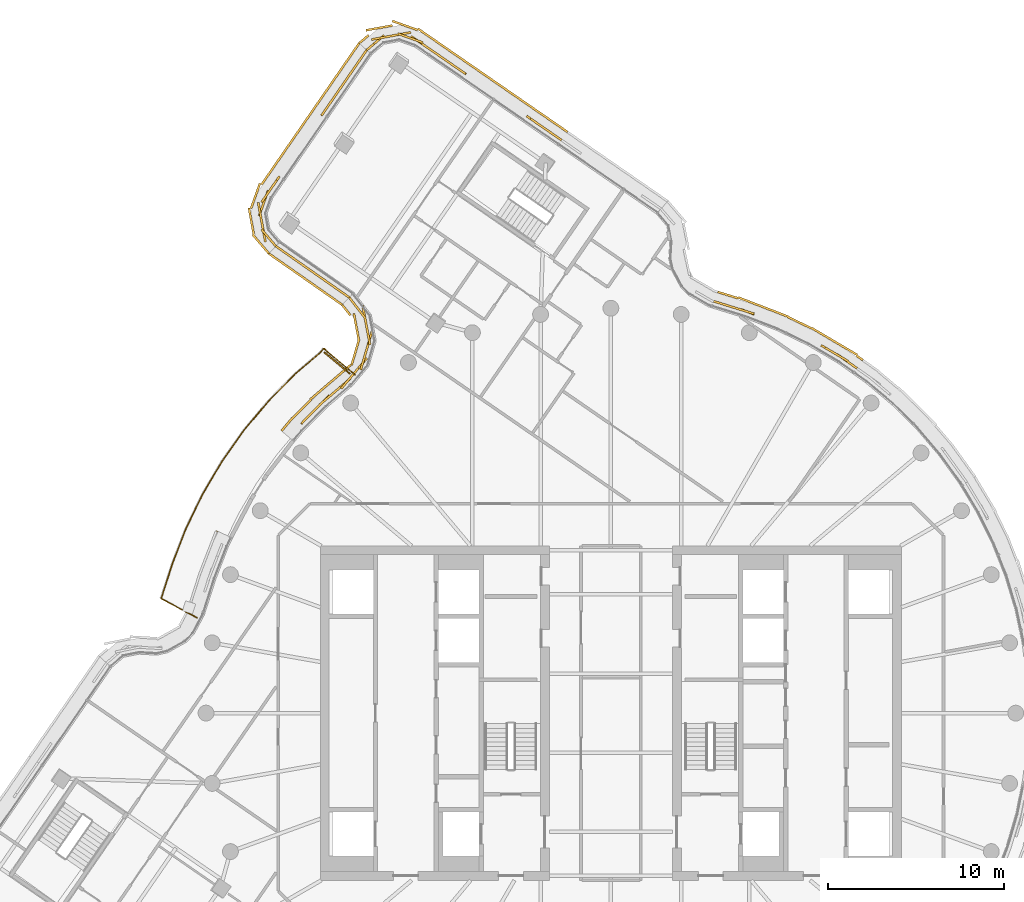
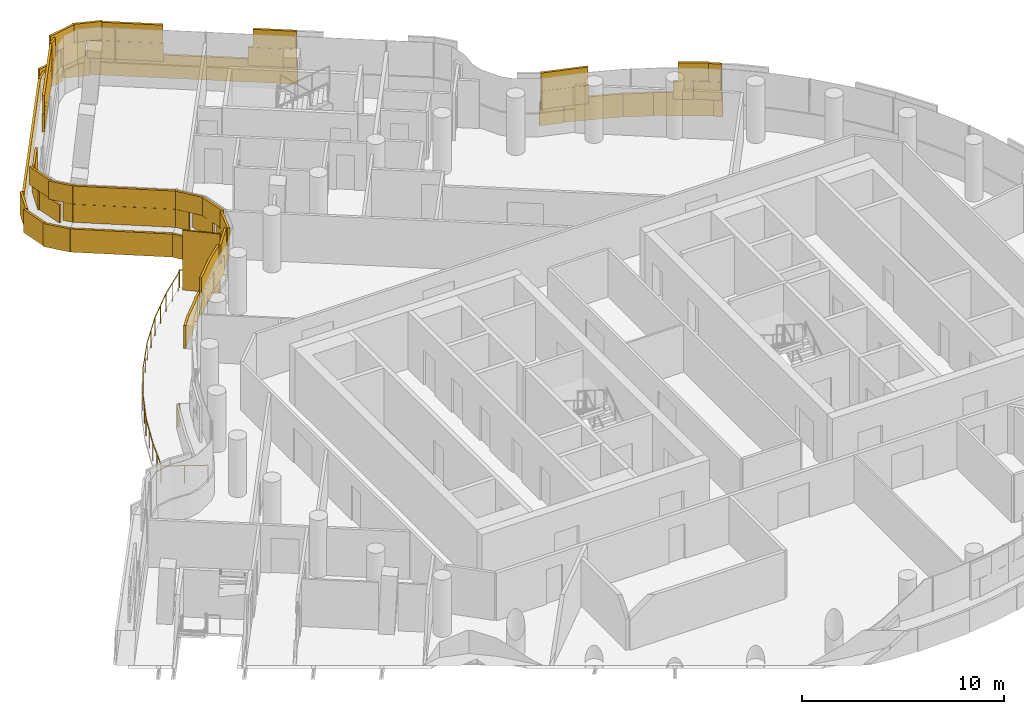
# One storey, part 24 of 26: 5 coverings, 1 railing, 1 shading device.
"""IFC4 building model written with IfcOpenShell, lengths in metres."""

from ifc_helpers import new_model, si_unit, direction, frame, origin, origin_2d, place, context, subcontext, project, spatial, rectangle, circle, extrude, material, layer, layer_set, type_object, element, save


model = new_model("IFC4")

# Units and contexts
model_context = context("Model", 3, precision=1e-05, world=origin(), true_north=direction((0.0, 1.0)))
body_context = subcontext(model_context, "Body", "Model", "MODEL_VIEW")
ifc_project = project(units=[si_unit("LENGTHUNIT", "METRE"), si_unit("AREAUNIT", "SQUARE_METRE"), si_unit("VOLUMEUNIT", "CUBIC_METRE"), si_unit("PLANEANGLEUNIT", "RADIAN"), si_unit("MASSUNIT", "GRAM", prefix="KILO")], contexts=[model_context])

# Site, building, storey
site_placement = place(None, origin())
site = spatial("IfcSite", under=ifc_project, at=site_placement, CompositionType="ELEMENT")
building_placement = place(site_placement, origin())
building = spatial("IfcBuilding", under=site, at=building_placement, Name="Tamarind Cross Interchange Tower", CompositionType="ELEMENT")
storey_placement = place(building_placement, frame((0.0, 0.0, 234.300048828125)))
storey = spatial("IfcBuildingStorey", under=building, at=storey_placement, Name="L59", CompositionType="ELEMENT", Elevation=234.300048828125)

# Railing
ifc_material_1 = material(Name="Stainless steel and laminated glass", Category="steel")
railing_type = type_object("IfcRailingType", Name="Balcony guard", PredefinedType="BALUSTRADE", material=ifc_material_1)
railing_placement = place(storey_placement, frame((-14.540283203125, 19.22265625, 0.0)))
element("IfcRailing", 1, at=railing_placement, inside=storey, type_object=railing_type, Name="Balcony guard 06", PredefinedType="BALUSTRADE", context=body_context, shape_type="SweptSolid", body=[
    extrude(circle(Radius=0.02490234375, at=origin_2d()), frame((0.0, 0.0, 1.0751953125), z_axis=(-0.764064500241, 0.645139860396, 0.0), x_axis=(-0.645139860396, -0.764064500241, 0.0)), (0.0, 0.0, 1.0), 2.31982421875),
    extrude(circle(Radius=0.02490234375, at=origin_2d()), frame((-1.7724609375, 1.49658203125, 1.0751953125), z_axis=(-0.645544832924, -0.763722376709, 0.0), x_axis=(0.763722376709, -0.645544832924, 0.0)), (0.0, 0.0, 1.0), 0.33056640625),
    extrude(circle(Radius=0.02490234375, at=origin_2d()), frame((-1.98583984375, 1.244140625, 1.0751953125), z_axis=(-0.760147021141, -0.649751111004, 0.0), x_axis=(0.649751111004, -0.760147021141, 0.0)), (0.0, 0.0, 1.0), 1.81787109375),
    extrude(circle(Radius=0.02490234375, at=origin_2d()), frame((-3.36767578125, 0.06298828125, 1.0751953125), z_axis=(-0.704069374485, -0.710131196268, 0.0), x_axis=(0.710131196268, -0.704069374485, 0.0)), (0.0, 0.0, 1.0), 2.1748046875),
    extrude(circle(Radius=0.02490234375, at=origin_2d()), frame((-4.89892578125, -1.4814453125, 1.0751953125), z_axis=(-0.642984125922, -0.765879503455, 0.0), x_axis=(0.765879503455, -0.642984125922, 0.0)), (0.0, 0.0, 1.0), 2.17529296875),
    extrude(circle(Radius=0.02490234375, at=origin_2d()), frame((-6.297607421875, -3.1474609375, 1.0751953125), z_axis=(-0.577590617379, -0.81632657602, 0.0), x_axis=(0.81632657602, -0.577590617379, 0.0)), (0.0, 0.0, 1.0), 2.175048828125),
    extrude(circle(Radius=0.02490234375, at=origin_2d()), frame((-7.553955078125, -4.923095703125, 1.0751953125), z_axis=(-0.508226290333, -0.861223570169, 0.0), x_axis=(0.861223570169, -0.508226290333, 0.0)), (0.0, 0.0, 1.0), 2.175048828125),
    extrude(circle(Radius=0.02490234375, at=origin_2d()), frame((-8.659423828125, -6.79638671875, 1.0751953125), z_axis=(-0.435276325285, -0.90029690694, 0.0), x_axis=(0.90029690694, -0.435276325285, 0.0)), (0.0, 0.0, 1.0), 2.175048828125),
    extrude(circle(Radius=0.02490234375, at=origin_2d()), frame((-9.606201171875, -8.754638671875, 1.0751953125), z_axis=(-0.359528124667, -0.933134249491, 0.0), x_axis=(0.933134249491, -0.359528124667, 0.0)), (0.0, 0.0, 1.0), 2.145263671875),
    extrude(circle(Radius=0.02490234375, at=origin_2d()), frame((-10.37744140625, -10.75634765625, 1.0751953125), z_axis=(-0.305997159624, -0.952032425027, 0.0), x_axis=(0.952032425027, -0.305997159624, 0.0)), (0.0, 0.0, 1.0), 1.972412109375),
    extrude(circle(Radius=0.02490234375, at=origin_2d()), frame((-10.98095703125, -12.634033203125, 1.0751953125), z_axis=(-0.469226254422, -0.883077981925, 0.0), x_axis=(0.883077981925, -0.469226254422, 0.0)), (0.0, 0.0, 1.0), 0.083740234375),
    extrude(circle(Radius=0.02490234375, at=origin_2d()), frame((-11.020263671875, -12.7080078125, 1.0751953125), z_axis=(0.881819248022, -0.471587546293, 0.0), x_axis=(0.471587546293, 0.881819248022, 0.0)), (0.0, 0.0, 1.0), 2.31982421875),
    extrude(circle(Radius=0.02001953125, at=origin_2d()), origin(), (0.0, 0.0, 1.0), 1.050048828125),
    extrude(circle(Radius=0.02001953125, at=origin_2d()), frame((-0.88623046875, 0.748291015625, 0.0)), (0.0, 0.0, 1.0), 1.050048828125),
    extrude(circle(Radius=0.02001953125, at=origin_2d()), frame((-1.7724609375, 1.49658203125, 0.0)), (0.0, 0.0, 1.0), 1.050048828125),
    extrude(circle(Radius=0.02001953125, at=origin_2d()), frame((-1.98583984375, 1.244140625, 0.0)), (0.0, 0.0, 1.0), 1.050048828125),
    extrude(circle(Radius=0.02001953125, at=origin_2d()), frame((-2.6767578125, 0.653564453125, 0.0)), (0.0, 0.0, 1.0), 1.050048828125),
    extrude(circle(Radius=0.02001953125, at=origin_2d()), frame((-3.36767578125, 0.06298828125, 0.0)), (0.0, 0.0, 1.0), 1.050048828125),
    extrude(circle(Radius=0.02001953125, at=origin_2d()), frame((-4.13330078125, -0.709228515625, 0.0)), (0.0, 0.0, 1.0), 1.050048828125),
    extrude(circle(Radius=0.02001953125, at=origin_2d()), frame((-4.89892578125, -1.4814453125, 0.0)), (0.0, 0.0, 1.0), 1.050048828125),
    extrude(circle(Radius=0.02001953125, at=origin_2d()), frame((-5.59814453125, -2.314453125, 0.0)), (0.0, 0.0, 1.0), 1.050048828125),
    extrude(circle(Radius=0.02001953125, at=origin_2d()), frame((-6.297607421875, -3.1474609375, 0.0)), (0.0, 0.0, 1.0), 1.050048828125),
    extrude(circle(Radius=0.02001953125, at=origin_2d()), frame((-6.92578125, -4.03515625, 0.0)), (0.0, 0.0, 1.0), 1.050048828125),
    extrude(circle(Radius=0.02001953125, at=origin_2d()), frame((-7.553955078125, -4.923095703125, 0.0)), (0.0, 0.0, 1.0), 1.050048828125),
    extrude(circle(Radius=0.02001953125, at=origin_2d()), frame((-8.106689453125, -5.85986328125, 0.0)), (0.0, 0.0, 1.0), 1.050048828125),
    extrude(circle(Radius=0.02001953125, at=origin_2d()), frame((-8.659423828125, -6.79638671875, 0.0)), (0.0, 0.0, 1.0), 1.050048828125),
    extrude(circle(Radius=0.02001953125, at=origin_2d()), frame((-9.1328125, -7.775390625, 0.0)), (0.0, 0.0, 1.0), 1.050048828125),
    extrude(circle(Radius=0.02001953125, at=origin_2d()), frame((-9.606201171875, -8.754638671875, 0.0)), (0.0, 0.0, 1.0), 1.050048828125),
    extrude(circle(Radius=0.02001953125, at=origin_2d()), frame((-9.99169921875, -9.75537109375, 0.0)), (0.0, 0.0, 1.0), 1.050048828125),
    extrude(circle(Radius=0.02001953125, at=origin_2d()), frame((-10.37744140625, -10.75634765625, 0.0)), (0.0, 0.0, 1.0), 1.050048828125),
    extrude(circle(Radius=0.02001953125, at=origin_2d()), frame((-10.67919921875, -11.6953125, 0.0)), (0.0, 0.0, 1.0), 1.050048828125),
    extrude(circle(Radius=0.02001953125, at=origin_2d()), frame((-10.98095703125, -12.634033203125, 0.0)), (0.0, 0.0, 1.0), 1.050048828125),
    extrude(circle(Radius=0.02001953125, at=origin_2d()), frame((-11.020263671875, -12.7080078125, 0.0)), (0.0, 0.0, 1.0), 1.050048828125),
    extrude(circle(Radius=0.02001953125, at=origin_2d()), frame((-9.99755859375, -13.2548828125, 0.0)), (0.0, 0.0, 1.0), 1.050048828125),
    extrude(circle(Radius=0.02001953125, at=origin_2d()), frame((-8.974609375, -13.802001953125, 0.0)), (0.0, 0.0, 1.0), 1.050048828125),
])

# Shading device
ifc_material_2 = material(Name="Bronze-finish aluminium louvre", Category="aluminium")
ifc_layer_1 = layer(ifc_material_2, 0.080078125)
ifc_layer_set_1 = layer_set([ifc_layer_1], Name="Bronze-finish aluminium louvre")
shading_device_type = type_object("IfcShadingDeviceType", Name="Operable louvre bay", PredefinedType="JALOUSIE", material=ifc_layer_set_1)
shading_device_placement = place(storey_placement, origin())
element("IfcShadingDevice", 2, at=shading_device_placement, inside=storey, type_object=shading_device_type, Name="LVR-L59-BAL06", PredefinedType="JALOUSIE", context=body_context, shape_type="SweptSolid", body=[
    extrude(rectangle(XDim=1.89990234375, YDim=0.080078125, at=origin_2d()), frame((-15.54736328125, 19.8896484375, 0.0), z_axis=(0.0, 0.0, 1.0), x_axis=(-0.764058405096, 0.645147079046, 0.0)), (0.0, 0.0, 1.0), 3.60009765625),
])

# Coverings
ifc_material_3 = material(Name="Terracotta", Category="masonry")
ifc_layer_2 = layer(ifc_material_3, 0.1201171875)
ifc_layer_set_2 = layer_set([ifc_layer_2], Name="Terracotta")
covering_type = type_object("IfcCoveringType", Name="Terracotta baguette screen unit", PredefinedType="MOLDING", material=ifc_layer_set_2)
covering_1_placement = place(storey_placement, origin())
element("IfcCovering", 3, at=covering_1_placement, inside=storey, type_object=covering_type, Name="SCR-L59-02-09", PredefinedType="MOLDING", context=body_context, shape_type="SweptSolid", body=[
    extrude(rectangle(XDim=1.4111328125, YDim=0.1201171875, at=origin_2d()), frame((13.4072265625, 19.993896484375, 1.40380859375), z_axis=(0.0, 0.0, 1.0), x_axis=(-0.816341886298, 0.577568978284, 0.0)), (0.0, 0.0, 1.0), 1.092041015625),
    extrude(rectangle(XDim=1.02294921875, YDim=0.1201171875, at=origin_2d()), frame((12.38525390625, 20.634521484375, 1.40380859375), z_axis=(0.0, 0.0, 1.0), x_axis=(-0.861248933065, 0.508183308752, 0.0)), (0.0, 0.0, 1.0), 1.092041015625),
    extrude(rectangle(XDim=0.796875, YDim=0.1201171875, at=origin_2d()), frame((7.776123046875, 22.793701171875, 1.40380859375), z_axis=(0.0, 0.0, 1.0), x_axis=(-0.933146843667, 0.359495435512, 0.0)), (0.0, 0.0, 1.0), 1.092041015625),
    extrude(rectangle(XDim=1.52001953125, YDim=0.1201171875, at=origin_2d()), frame((6.68505859375, 23.135986328125, 1.40380859375), z_axis=(0.0, 0.0, 1.0), x_axis=(-0.955148026789, 0.296128767466, 0.0)), (0.0, 0.0, 1.0), 1.092041015625),
    extrude(rectangle(XDim=0.13720703125, YDim=0.1201171875, at=origin_2d()), frame((5.907958984375, 23.376953125, 1.40380859375), z_axis=(0.0, 0.0, 1.0), x_axis=(-0.955148026789, 0.296128767466, 0.0)), (0.0, 0.0, 1.0), 1.092041015625),
    extrude(rectangle(XDim=0.6611328125, YDim=0.1201171875, at=origin_2d()), frame((13.71337890625, 19.77734375, 2.50390625), z_axis=(0.0, 0.0, 1.0), x_axis=(-0.816341886298, 0.577568978284, 0.0)), (0.0, 0.0, 1.0), 1.092041015625),
    extrude(rectangle(XDim=1.52001953125, YDim=0.1201171875, at=origin_2d()), frame((12.821533203125, 20.377197265625, 2.50390625), z_axis=(0.0, 0.0, 1.0), x_axis=(-0.861248933065, 0.508183308752, 0.0)), (0.0, 0.0, 1.0), 1.092041015625),
    extrude(rectangle(XDim=1.52001953125, YDim=0.1201171875, at=origin_2d()), frame((7.401611328125, 22.913818359375, 2.50390625), z_axis=(0.0, 0.0, 1.0), x_axis=(-0.955148026789, 0.296128767466, 0.0)), (0.0, 0.0, 1.0), 1.092041015625),
    extrude(rectangle(XDim=0.88720703125, YDim=0.1201171875, at=origin_2d()), frame((6.26611328125, 23.265869140625, 2.50390625), z_axis=(0.0, 0.0, 1.0), x_axis=(-0.955148026789, 0.296128767466, 0.0)), (0.0, 0.0, 1.0), 1.092041015625),
    extrude(rectangle(XDim=0.442626953125, YDim=0.1201171875, at=origin_2d()), frame((14.1318359375, 20.184326171875, 0.00390625), z_axis=(0.0, 0.0, 1.0), x_axis=(-0.816341886298, 0.577568978284, 0.0)), (0.0, 0.0, 1.0), 1.39208984375),
    extrude(rectangle(XDim=1.52001953125, YDim=0.1201171875, at=origin_2d()), frame((13.34423828125, 20.735107421875, 0.00390625), z_axis=(0.0, 0.0, 1.0), x_axis=(-0.861248933065, 0.508183308752, 0.0)), (0.0, 0.0, 1.0), 1.39208984375),
    extrude(rectangle(XDim=1.52001953125, YDim=0.1201171875, at=origin_2d()), frame((12.05224609375, 21.49755859375, 0.00390625), z_axis=(0.0, 0.0, 1.0), x_axis=(-0.861248933065, 0.508183308752, 0.0)), (0.0, 0.0, 1.0), 1.39208984375),
    extrude(rectangle(XDim=1.52001953125, YDim=0.1201171875, at=origin_2d()), frame((10.720458984375, 22.18505859375, 0.00390625), z_axis=(0.0, 0.0, 1.0), x_axis=(-0.900272776334, 0.435326231914, 0.0)), (0.0, 0.0, 1.0), 1.39208984375),
    extrude(rectangle(XDim=1.52001953125, YDim=0.1201171875, at=origin_2d()), frame((9.35400390625, 22.801025390625, 0.00390625), z_axis=(0.0, 0.0, 1.0), x_axis=(-0.933146843667, 0.359495435512, 0.0)), (0.0, 0.0, 1.0), 1.39208984375),
    extrude(rectangle(XDim=1.52001953125, YDim=0.1201171875, at=origin_2d()), frame((7.954345703125, 23.34033203125, 0.00390625), z_axis=(0.0, 0.0, 1.0), x_axis=(-0.933146843667, 0.359495435512, 0.0)), (0.0, 0.0, 1.0), 1.39208984375),
    extrude(rectangle(XDim=1.228271484375, YDim=0.1201171875, at=origin_2d()), frame((6.661865234375, 23.744140625, 0.00390625), z_axis=(0.0, 0.0, 1.0), x_axis=(-0.955148026789, 0.296128767466, 0.0)), (0.0, 0.0, 1.0), 1.39208984375),
])
covering_2_placement = place(storey_placement, origin())
element("IfcCovering", 4, at=covering_2_placement, inside=storey, type_object=covering_type, Name="SCR-L59-03-01", PredefinedType="MOLDING", context=body_context, shape_type="SweptSolid", body=[
    extrude(rectangle(XDim=1.396484375, YDim=0.1201171875, at=origin_2d()), frame((-3.3701171875, 32.943115234375, 1.40380859375), z_axis=(0.0, 0.0, 1.0), x_axis=(-0.822882571359, 0.56821146922, 0.0)), (0.0, 0.0, 1.0), 1.092041015625),
    extrude(rectangle(XDim=1.02978515625, YDim=0.1201171875, at=origin_2d()), frame((-4.360107421875, 33.626708984375, 1.40380859375), z_axis=(0.0, 0.0, 1.0), x_axis=(-0.822882571359, 0.56821146922, 0.0)), (0.0, 0.0, 1.0), 1.092041015625),
    extrude(rectangle(XDim=0.790283203125, YDim=0.1201171875, at=origin_2d()), frame((-8.556884765625, 36.524658203125, 1.40380859375), z_axis=(0.0, 0.0, 1.0), x_axis=(-0.822882571359, 0.56821146922, 0.0)), (0.0, 0.0, 1.0), 1.092041015625),
    extrude(rectangle(XDim=1.52001953125, YDim=0.1201171875, at=origin_2d()), frame((-9.494873046875, 37.17236328125, 1.40380859375), z_axis=(0.0, 0.0, 1.0), x_axis=(-0.822882571359, 0.56821146922, 0.0)), (0.0, 0.0, 1.0), 1.092041015625),
    extrude(rectangle(XDim=1.52001953125, YDim=0.1201171875, at=origin_2d()), frame((-10.729248046875, 38.024658203125, 1.40380859375), z_axis=(0.0, 0.0, 1.0), x_axis=(-0.822882571359, 0.56821146922, 0.0)), (0.0, 0.0, 1.0), 1.092041015625),
    extrude(rectangle(XDim=1.52001953125, YDim=0.1201171875, at=origin_2d()), frame((-12.11083984375, 38.536376953125, 1.40380859375), z_axis=(0.0, 0.0, 1.0), x_axis=(-0.983652029362, -0.180079663295, 0.0)), (0.0, 0.0, 1.0), 1.092041015625),
    extrude(rectangle(XDim=1.2919921875, YDim=0.1201171875, at=origin_2d()), frame((-13.383544921875, 38.084716796875, 1.40380859375), z_axis=(0.0, 0.0, 1.0), x_axis=(-0.761827814264, -0.647779577799, 0.0)), (0.0, 0.0, 1.0), 1.092041015625),
    extrude(rectangle(XDim=0.646484375, YDim=0.1201171875, at=origin_2d()), frame((-3.0615234375, 32.72998046875, 2.50390625), z_axis=(0.0, 0.0, 1.0), x_axis=(-0.822882571359, 0.56821146922, 0.0)), (0.0, 0.0, 1.0), 1.092041015625),
    extrude(rectangle(XDim=1.52001953125, YDim=0.1201171875, at=origin_2d()), frame((-3.9404296875, 33.3369140625, 2.50390625), z_axis=(0.0, 0.0, 1.0), x_axis=(-0.822882571359, 0.56821146922, 0.0)), (0.0, 0.0, 1.0), 1.092041015625),
    extrude(rectangle(XDim=1.52001953125, YDim=0.1201171875, at=origin_2d()), frame((-8.877685546875, 36.746337890625, 2.50390625), z_axis=(0.0, 0.0, 1.0), x_axis=(-0.822882571359, 0.56821146922, 0.0)), (0.0, 0.0, 1.0), 1.092041015625),
    extrude(rectangle(XDim=1.52001953125, YDim=0.1201171875, at=origin_2d()), frame((-10.112060546875, 37.5986328125, 2.50390625), z_axis=(0.0, 0.0, 1.0), x_axis=(-0.822882571359, 0.56821146922, 0.0)), (0.0, 0.0, 1.0), 1.092041015625),
    extrude(rectangle(XDim=1.52001953125, YDim=0.1201171875, at=origin_2d()), frame((-11.399169921875, 38.34765625, 2.50390625), z_axis=(0.0, 0.0, 1.0), x_axis=(-0.941907477559, 0.335872451562, 0.0)), (0.0, 0.0, 1.0), 1.092041015625),
    extrude(rectangle(XDim=1.52001953125, YDim=0.1201171875, at=origin_2d()), frame((-12.8486328125, 38.4013671875, 2.50390625), z_axis=(0.0, 0.0, 1.0), x_axis=(-0.983652029362, -0.180079663295, 0.0)), (0.0, 0.0, 1.0), 1.092041015625),
    extrude(rectangle(XDim=0.5419921875, YDim=0.1201171875, at=origin_2d()), frame((-13.66943359375, 37.841796875, 2.50390625), z_axis=(0.0, 0.0, 1.0), x_axis=(-0.761827814264, -0.647779577799, 0.0)), (0.0, 0.0, 1.0), 1.092041015625),
    extrude(rectangle(XDim=1.335205078125, YDim=0.1201171875, at=origin_2d()), frame((-3.011962890625, 33.393310546875, 0.00390625), z_axis=(0.0, 0.0, 1.0), x_axis=(-0.822882571359, 0.56821146922, 0.0)), (0.0, 0.0, 1.0), 1.39208984375),
    extrude(rectangle(XDim=1.52001953125, YDim=0.1201171875, at=origin_2d()), frame((-4.170166015625, 34.193115234375, 0.00390625), z_axis=(0.0, 0.0, 1.0), x_axis=(-0.822882571359, 0.56821146922, 0.0)), (0.0, 0.0, 1.0), 1.39208984375),
    extrude(rectangle(XDim=1.52001953125, YDim=0.1201171875, at=origin_2d()), frame((-5.404541015625, 35.045654296875, 0.00390625), z_axis=(0.0, 0.0, 1.0), x_axis=(-0.822882571359, 0.56821146922, 0.0)), (0.0, 0.0, 1.0), 1.39208984375),
    extrude(rectangle(XDim=1.52001953125, YDim=0.1201171875, at=origin_2d()), frame((-6.638916015625, 35.89794921875, 0.00390625), z_axis=(0.0, 0.0, 1.0), x_axis=(-0.822882571359, 0.56821146922, 0.0)), (0.0, 0.0, 1.0), 1.39208984375),
    extrude(rectangle(XDim=1.52001953125, YDim=0.1201171875, at=origin_2d()), frame((-7.873291015625, 36.750244140625, 0.00390625), z_axis=(0.0, 0.0, 1.0), x_axis=(-0.822882571359, 0.56821146922, 0.0)), (0.0, 0.0, 1.0), 1.39208984375),
    extrude(rectangle(XDim=1.52001953125, YDim=0.1201171875, at=origin_2d()), frame((-9.107666015625, 37.6025390625, 0.00390625), z_axis=(0.0, 0.0, 1.0), x_axis=(-0.822882571359, 0.56821146922, 0.0)), (0.0, 0.0, 1.0), 1.39208984375),
    extrude(rectangle(XDim=1.52001953125, YDim=0.1201171875, at=origin_2d()), frame((-10.341796875, 38.454833984375, 0.00390625), z_axis=(0.0, 0.0, 1.0), x_axis=(-0.822882571359, 0.56821146922, 0.0)), (0.0, 0.0, 1.0), 1.39208984375),
    extrude(rectangle(XDim=1.52001953125, YDim=0.1201171875, at=origin_2d()), frame((-11.700439453125, 39.064453125, 0.00390625), z_axis=(0.0, 0.0, 1.0), x_axis=(-0.941907477559, 0.335872451562, 0.0)), (0.0, 0.0, 1.0), 1.39208984375),
    extrude(rectangle(XDim=1.52001953125, YDim=0.1201171875, at=origin_2d()), frame((-13.165283203125, 38.9267578125, 0.00390625), z_axis=(0.0, 0.0, 1.0), x_axis=(-0.983652029362, -0.180079663295, 0.0)), (0.0, 0.0, 1.0), 1.39208984375),
    extrude(rectangle(XDim=0.708251953125, YDim=0.1201171875, at=origin_2d()), frame((-14.031494140625, 38.287109375, 0.00390625), z_axis=(0.0, 0.0, 1.0), x_axis=(-0.761827814264, -0.647779577799, 0.0)), (0.0, 0.0, 1.0), 1.39208984375),
])
covering_3_placement = place(storey_placement, origin())
element("IfcCovering", 5, at=covering_3_placement, inside=storey, type_object=covering_type, Name="SCR-L59-04-00", PredefinedType="MOLDING", context=body_context, shape_type="SweptSolid", body=[
    extrude(rectangle(XDim=0.760009765625, YDim=0.1201171875, at=origin_2d()), frame((-14.085205078125, 37.36083984375, 1.40380859375), z_axis=(0.0, 0.0, 1.0), x_axis=(-0.56821146922, -0.822882571359, 0.0)), (0.0, 0.0, 1.0), 1.092041015625),
    extrude(rectangle(XDim=1.52001953125, YDim=0.1201171875, at=origin_2d()), frame((-14.724365234375, 36.43505859375, 1.40380859375), z_axis=(0.0, 0.0, 1.0), x_axis=(-0.56821146922, -0.822882571359, 0.0)), (0.0, 0.0, 1.0), 1.092041015625),
    extrude(rectangle(XDim=1.52001953125, YDim=0.1201171875, at=origin_2d()), frame((-15.57666015625, 35.20068359375, 1.40380859375), z_axis=(0.0, 0.0, 1.0), x_axis=(-0.56821146922, -0.822882571359, 0.0)), (0.0, 0.0, 1.0), 1.092041015625),
    extrude(rectangle(XDim=0.78466796875, YDim=0.1201171875, at=origin_2d()), frame((-16.222900390625, 34.264892578125, 1.40380859375), z_axis=(0.0, 0.0, 1.0), x_axis=(-0.56821146922, -0.822882571359, 0.0)), (0.0, 0.0, 1.0), 1.092041015625),
    extrude(rectangle(XDim=1.035400390625, YDim=0.1201171875, at=origin_2d()), frame((-19.120849609375, 30.068115234375, 1.40380859375), z_axis=(0.0, 0.0, 1.0), x_axis=(-0.56821146922, -0.822882571359, 0.0)), (0.0, 0.0, 1.0), 1.092041015625),
    extrude(rectangle(XDim=1.52001953125, YDim=0.1201171875, at=origin_2d()), frame((-19.7275390625, 28.972412109375, 1.40380859375), z_axis=(0.0, 0.0, 1.0), x_axis=(-0.335872451562, -0.941907477559, 0.0)), (0.0, 0.0, 1.0), 1.092041015625),
    extrude(rectangle(XDim=1.52001953125, YDim=0.1201171875, at=origin_2d()), frame((-19.764404296875, 27.521728515625, 1.40380859375), z_axis=(0.0, 0.0, 1.0), x_axis=(0.180079663295, -0.983652029362, 0.0)), (0.0, 0.0, 1.0), 1.092041015625),
    extrude(rectangle(XDim=0.509521484375, YDim=0.1201171875, at=origin_2d()), frame((-19.2001953125, 26.720703125, 1.40380859375), z_axis=(0.0, 0.0, 1.0), x_axis=(0.647779577799, -0.761827814264, 0.0)), (0.0, 0.0, 1.0), 1.092041015625),
    extrude(rectangle(XDim=1.510009765625, YDim=0.1201171875, at=origin_2d()), frame((-14.298095703125, 37.05224609375, 2.50390625), z_axis=(0.0, 0.0, 1.0), x_axis=(-0.56821146922, -0.822882571359, 0.0)), (0.0, 0.0, 1.0), 1.092041015625),
    extrude(rectangle(XDim=1.52001953125, YDim=0.1201171875, at=origin_2d()), frame((-15.150390625, 35.81787109375, 2.50390625), z_axis=(0.0, 0.0, 1.0), x_axis=(-0.56821146922, -0.822882571359, 0.0)), (0.0, 0.0, 1.0), 1.092041015625),
    extrude(rectangle(XDim=1.52001953125, YDim=0.1201171875, at=origin_2d()), frame((-16.002685546875, 34.58349609375, 2.50390625), z_axis=(0.0, 0.0, 1.0), x_axis=(-0.56821146922, -0.822882571359, 0.0)), (0.0, 0.0, 1.0), 1.092041015625),
    extrude(rectangle(XDim=1.52001953125, YDim=0.1201171875, at=origin_2d()), frame((-19.412109375, 29.646240234375, 2.50390625), z_axis=(0.0, 0.0, 1.0), x_axis=(-0.56821146922, -0.822882571359, 0.0)), (0.0, 0.0, 1.0), 1.092041015625),
    extrude(rectangle(XDim=1.52001953125, YDim=0.1201171875, at=origin_2d()), frame((-19.8994140625, 28.259521484375, 2.50390625), z_axis=(0.0, 0.0, 1.0), x_axis=(0.180079663295, -0.983652029362, 0.0)), (0.0, 0.0, 1.0), 1.092041015625),
    extrude(rectangle(XDim=1.259521484375, YDim=0.1201171875, at=origin_2d()), frame((-19.443115234375, 27.00634765625, 2.50390625), z_axis=(0.0, 0.0, 1.0), x_axis=(0.647779577799, -0.761827814264, 0.0)), (0.0, 0.0, 1.0), 1.092041015625),
    extrude(rectangle(XDim=0.760009765625, YDim=0.1201171875, at=origin_2d()), frame((-14.517333984375, 37.7451171875, 0.00390625), z_axis=(0.0, 0.0, 1.0), x_axis=(-0.56821146922, -0.822882571359, 0.0)), (0.0, 0.0, 1.0), 1.39208984375),
    extrude(rectangle(XDim=1.52001953125, YDim=0.1201171875, at=origin_2d()), frame((-15.15380859375, 36.823486328125, 0.00390625), z_axis=(0.0, 0.0, 1.0), x_axis=(-0.56821146922, -0.822882571359, 0.0)), (0.0, 0.0, 1.0), 1.39208984375),
    extrude(rectangle(XDim=1.52001953125, YDim=0.1201171875, at=origin_2d()), frame((-16.006103515625, 35.589111328125, 0.00390625), z_axis=(0.0, 0.0, 1.0), x_axis=(-0.56821146922, -0.822882571359, 0.0)), (0.0, 0.0, 1.0), 1.39208984375),
    extrude(rectangle(XDim=1.52001953125, YDim=0.1201171875, at=origin_2d()), frame((-16.8583984375, 34.354736328125, 0.00390625), z_axis=(0.0, 0.0, 1.0), x_axis=(-0.56821146922, -0.822882571359, 0.0)), (0.0, 0.0, 1.0), 1.39208984375),
    extrude(rectangle(XDim=1.52001953125, YDim=0.1201171875, at=origin_2d()), frame((-17.710693359375, 33.120361328125, 0.00390625), z_axis=(0.0, 0.0, 1.0), x_axis=(-0.56821146922, -0.822882571359, 0.0)), (0.0, 0.0, 1.0), 1.39208984375),
    extrude(rectangle(XDim=1.52001953125, YDim=0.1201171875, at=origin_2d()), frame((-18.56298828125, 31.88623046875, 0.00390625), z_axis=(0.0, 0.0, 1.0), x_axis=(-0.56821146922, -0.822882571359, 0.0)), (0.0, 0.0, 1.0), 1.39208984375),
    extrude(rectangle(XDim=1.52001953125, YDim=0.1201171875, at=origin_2d()), frame((-19.415283203125, 30.65185546875, 0.00390625), z_axis=(0.0, 0.0, 1.0), x_axis=(-0.56821146922, -0.822882571359, 0.0)), (0.0, 0.0, 1.0), 1.39208984375),
    extrude(rectangle(XDim=1.52001953125, YDim=0.1201171875, at=origin_2d()), frame((-20.192138671875, 29.378662109375, 0.00390625), z_axis=(0.0, 0.0, 1.0), x_axis=(-0.335872451562, -0.941907477559, 0.0)), (0.0, 0.0, 1.0), 1.39208984375),
    extrude(rectangle(XDim=1.52001953125, YDim=0.1201171875, at=origin_2d()), frame((-20.42529296875, 27.944091796875, 0.00390625), z_axis=(0.0, 0.0, 1.0), x_axis=(0.180079663295, -0.983652029362, 0.0)), (0.0, 0.0, 1.0), 1.39208984375),
    extrude(rectangle(XDim=1.42529296875, YDim=0.1201171875, at=origin_2d()), frame((-19.889404296875, 26.64501953125, 0.00390625), z_axis=(0.0, 0.0, 1.0), x_axis=(0.647779577799, -0.761827814264, 0.0)), (0.0, 0.0, 1.0), 1.39208984375),
])
covering_4_placement = place(storey_placement, origin())
element("IfcCovering", 6, at=covering_4_placement, inside=storey, type_object=covering_type, Name="SCR-L59-05-00", PredefinedType="MOLDING", context=body_context, shape_type="SweptSolid", body=[
    extrude(rectangle(XDim=0.760009765625, YDim=0.1201171875, at=origin_2d()), frame((-18.73095703125, 26.315673828125, 1.40380859375), z_axis=(0.0, 0.0, 1.0), x_axis=(0.819826888298, -0.572611450483, 0.0)), (0.0, 0.0, 1.0), 1.092041015625),
    extrude(rectangle(XDim=1.52001953125, YDim=0.1201171875, at=origin_2d()), frame((-17.808837890625, 25.67138671875, 1.40380859375), z_axis=(0.0, 0.0, 1.0), x_axis=(0.819826888298, -0.572611450483, 0.0)), (0.0, 0.0, 1.0), 1.092041015625),
    extrude(rectangle(XDim=1.52001953125, YDim=0.1201171875, at=origin_2d()), frame((-16.5791015625, 24.8125, 1.40380859375), z_axis=(0.0, 0.0, 1.0), x_axis=(0.819826888298, -0.572611450483, 0.0)), (0.0, 0.0, 1.0), 1.092041015625),
    extrude(rectangle(XDim=1.348876953125, YDim=0.1201171875, at=origin_2d()), frame((-15.415283203125, 23.999755859375, 1.40380859375), z_axis=(0.0, 0.0, 1.0), x_axis=(0.819826888298, -0.572611450483, 0.0)), (0.0, 0.0, 1.0), 1.092041015625),
    extrude(rectangle(XDim=1.510009765625, YDim=0.1201171875, at=origin_2d()), frame((-18.423583984375, 26.100830078125, 2.50390625), z_axis=(0.0, 0.0, 1.0), x_axis=(0.819826888298, -0.572611450483, 0.0)), (0.0, 0.0, 1.0), 1.092041015625),
    extrude(rectangle(XDim=1.52001953125, YDim=0.1201171875, at=origin_2d()), frame((-17.19384765625, 25.241943359375, 2.50390625), z_axis=(0.0, 0.0, 1.0), x_axis=(0.819826888298, -0.572611450483, 0.0)), (0.0, 0.0, 1.0), 1.092041015625),
    extrude(rectangle(XDim=1.52001953125, YDim=0.1201171875, at=origin_2d()), frame((-15.964111328125, 24.383056640625, 2.50390625), z_axis=(0.0, 0.0, 1.0), x_axis=(0.819826888298, -0.572611450483, 0.0)), (0.0, 0.0, 1.0), 1.092041015625),
    extrude(rectangle(XDim=0.598876953125, YDim=0.1201171875, at=origin_2d()), frame((-15.10791015625, 23.784912109375, 2.50390625), z_axis=(0.0, 0.0, 1.0), x_axis=(0.819826888298, -0.572611450483, 0.0)), (0.0, 0.0, 1.0), 1.092041015625),
    extrude(rectangle(XDim=0.760009765625, YDim=0.1201171875, at=origin_2d()), frame((-19.1162109375, 25.884521484375, 0.00390625), z_axis=(0.0, 0.0, 1.0), x_axis=(0.819826888298, -0.572611450483, 0.0)), (0.0, 0.0, 1.0), 1.39208984375),
    extrude(rectangle(XDim=1.52001953125, YDim=0.1201171875, at=origin_2d()), frame((-18.197998046875, 25.2431640625, 0.00390625), z_axis=(0.0, 0.0, 1.0), x_axis=(0.819826888298, -0.572611450483, 0.0)), (0.0, 0.0, 1.0), 1.39208984375),
    extrude(rectangle(XDim=1.52001953125, YDim=0.1201171875, at=origin_2d()), frame((-16.96826171875, 24.38427734375, 0.00390625), z_axis=(0.0, 0.0, 1.0), x_axis=(0.819826888298, -0.572611450483, 0.0)), (0.0, 0.0, 1.0), 1.39208984375),
    extrude(rectangle(XDim=1.3359375, YDim=0.1201171875, at=origin_2d()), frame((-15.814208984375, 23.578125, 0.00390625), z_axis=(0.0, 0.0, 1.0), x_axis=(0.819826888298, -0.572611450483, 0.0)), (0.0, 0.0, 1.0), 1.39208984375),
])
covering_5_placement = place(storey_placement, origin())
element("IfcCovering", 7, at=covering_5_placement, inside=storey, type_object=covering_type, Name="SCR-L59-06-00", PredefinedType="MOLDING", context=body_context, shape_type="SweptSolid", body=[
    extrude(rectangle(XDim=0.760009765625, YDim=0.1201171875, at=origin_2d()), frame((-14.636474609375, 23.3203125, 1.40380859375), z_axis=(0.0, 0.0, 1.0), x_axis=(0.613507986329, -0.789688514992, 0.0)), (0.0, 0.0, 1.0), 1.092041015625),
    extrude(rectangle(XDim=1.52001953125, YDim=0.1201171875, at=origin_2d()), frame((-13.965576171875, 22.42333984375, 1.40380859375), z_axis=(0.0, 0.0, 1.0), x_axis=(0.184317338916, -0.982866785773, 0.0)), (0.0, 0.0, 1.0), 1.092041015625),
    extrude(rectangle(XDim=1.52001953125, YDim=0.1201171875, at=origin_2d()), frame((-13.7890625, 20.953857421875, 1.40380859375), z_axis=(0.0, 0.0, 1.0), x_axis=(-0.279805244007, -0.960056782397, 0.0)), (0.0, 0.0, 1.0), 1.092041015625),
    extrude(rectangle(XDim=1.52001953125, YDim=0.1201171875, at=origin_2d()), frame((-14.3486328125, 19.5888671875, 1.40380859375), z_axis=(0.0, 0.0, 1.0), x_axis=(-0.645147079046, -0.764058405096, 0.0)), (0.0, 0.0, 1.0), 1.092041015625),
    extrude(rectangle(XDim=1.52001953125, YDim=0.1201171875, at=origin_2d()), frame((-15.383544921875, 18.509521484375, 1.40380859375), z_axis=(0.0, 0.0, 1.0), x_axis=(-0.760189688003, -0.649701191514, 0.0)), (0.0, 0.0, 1.0), 1.092041015625),
    extrude(rectangle(XDim=1.52001953125, YDim=0.1201171875, at=origin_2d()), frame((-16.513916015625, 17.5244140625, 1.40380859375), z_axis=(0.0, 0.0, 1.0), x_axis=(-0.704057148523, -0.710143317658, 0.0)), (0.0, 0.0, 1.0), 1.092041015625),
    extrude(rectangle(XDim=0.783935546875, YDim=0.1201171875, at=origin_2d()), frame((-17.314453125, 16.717041015625, 1.40380859375), z_axis=(0.0, 0.0, 1.0), x_axis=(-0.704057148523, -0.710143317658, 0.0)), (0.0, 0.0, 1.0), 1.092041015625),
    extrude(rectangle(XDim=1.510009765625, YDim=0.1201171875, at=origin_2d()), frame((-14.406494140625, 23.024169921875, 2.50390625), z_axis=(0.0, 0.0, 1.0), x_axis=(0.613507986329, -0.789688514992, 0.0)), (0.0, 0.0, 1.0), 1.092041015625),
    extrude(rectangle(XDim=1.52001953125, YDim=0.1201171875, at=origin_2d()), frame((-13.8271484375, 21.68603515625, 2.50390625), z_axis=(0.0, 0.0, 1.0), x_axis=(0.184317338916, -0.982866785773, 0.0)), (0.0, 0.0, 1.0), 1.092041015625),
    extrude(rectangle(XDim=1.52001953125, YDim=0.1201171875, at=origin_2d()), frame((-13.998779296875, 20.23388671875, 2.50390625), z_axis=(0.0, 0.0, 1.0), x_axis=(-0.279805244007, -0.960056782397, 0.0)), (0.0, 0.0, 1.0), 1.092041015625),
    extrude(rectangle(XDim=1.52001953125, YDim=0.1201171875, at=origin_2d()), frame((-14.83251953125, 19.015869140625, 2.50390625), z_axis=(0.0, 0.0, 1.0), x_axis=(-0.645147079046, -0.764058405096, 0.0)), (0.0, 0.0, 1.0), 1.092041015625),
    extrude(rectangle(XDim=1.52001953125, YDim=0.1201171875, at=origin_2d()), frame((-15.953857421875, 18.0224609375, 2.50390625), z_axis=(0.0, 0.0, 1.0), x_axis=(-0.760189688003, -0.649701191514, 0.0)), (0.0, 0.0, 1.0), 1.092041015625),
    extrude(rectangle(XDim=1.52001953125, YDim=0.1201171875, at=origin_2d()), frame((-17.0419921875, 16.99169921875, 2.50390625), z_axis=(0.0, 0.0, 1.0), x_axis=(-0.704057148523, -0.710143317658, 0.0)), (0.0, 0.0, 1.0), 1.092041015625),
    extrude(rectangle(XDim=0.760009765625, YDim=0.1201171875, at=origin_2d()), frame((-15.033447265625, 22.8955078125, 0.00390625), z_axis=(0.0, 0.0, 1.0), x_axis=(0.613507986329, -0.789688514992, 0.0)), (0.0, 0.0, 1.0), 1.39208984375),
    extrude(rectangle(XDim=1.52001953125, YDim=0.1201171875, at=origin_2d()), frame((-14.46240234375, 21.958740234375, 0.00390625), z_axis=(0.0, 0.0, 1.0), x_axis=(0.184317338916, -0.982866785773, 0.0)), (0.0, 0.0, 1.0), 1.39208984375),
    extrude(rectangle(XDim=1.52001953125, YDim=0.1201171875, at=origin_2d()), frame((-14.518798828125, 20.5009765625, 0.00390625), z_axis=(0.0, 0.0, 1.0), x_axis=(-0.279805244007, -0.960056782397, 0.0)), (0.0, 0.0, 1.0), 1.39208984375),
    extrude(rectangle(XDim=1.52001953125, YDim=0.1201171875, at=origin_2d()), frame((-15.358154296875, 19.28662109375, 0.00390625), z_axis=(0.0, 0.0, 1.0), x_axis=(-0.760189688003, -0.649701191514, 0.0)), (0.0, 0.0, 1.0), 1.39208984375),
    extrude(rectangle(XDim=1.52001953125, YDim=0.1201171875, at=origin_2d()), frame((-16.498291015625, 18.31201171875, 0.00390625), z_axis=(0.0, 0.0, 1.0), x_axis=(-0.760189688003, -0.649701191514, 0.0)), (0.0, 0.0, 1.0), 1.39208984375),
    extrude(rectangle(XDim=1.52001953125, YDim=0.1201171875, at=origin_2d()), frame((-17.5751953125, 17.269287109375, 0.00390625), z_axis=(0.0, 0.0, 1.0), x_axis=(-0.704057148523, -0.710143317658, 0.0)), (0.0, 0.0, 1.0), 1.39208984375),
    extrude(rectangle(XDim=0.939208984375, YDim=0.1201171875, at=origin_2d()), frame((-18.408447265625, 16.3935546875, 0.00390625), z_axis=(0.0, 0.0, 1.0), x_axis=(-0.643009266048, -0.765858396687, 0.0)), (0.0, 0.0, 1.0), 1.39208984375),
    extrude(rectangle(XDim=0.03076171875, YDim=0.1201171875, at=origin_2d()), frame((-22.372802734375, 10.33203125, 0.00390625), z_axis=(0.0, 0.0, 1.0), x_axis=(-0.435326231914, -0.900272776334, 0.0)), (0.0, 0.0, 1.0), 1.39208984375),
])

save(model, "model.ifc")
